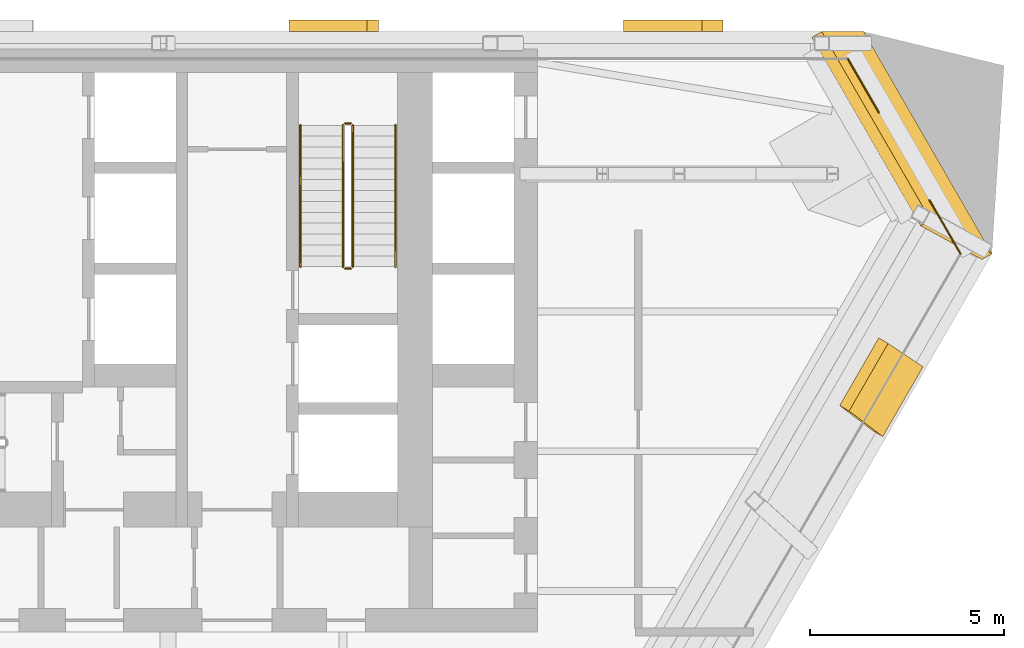
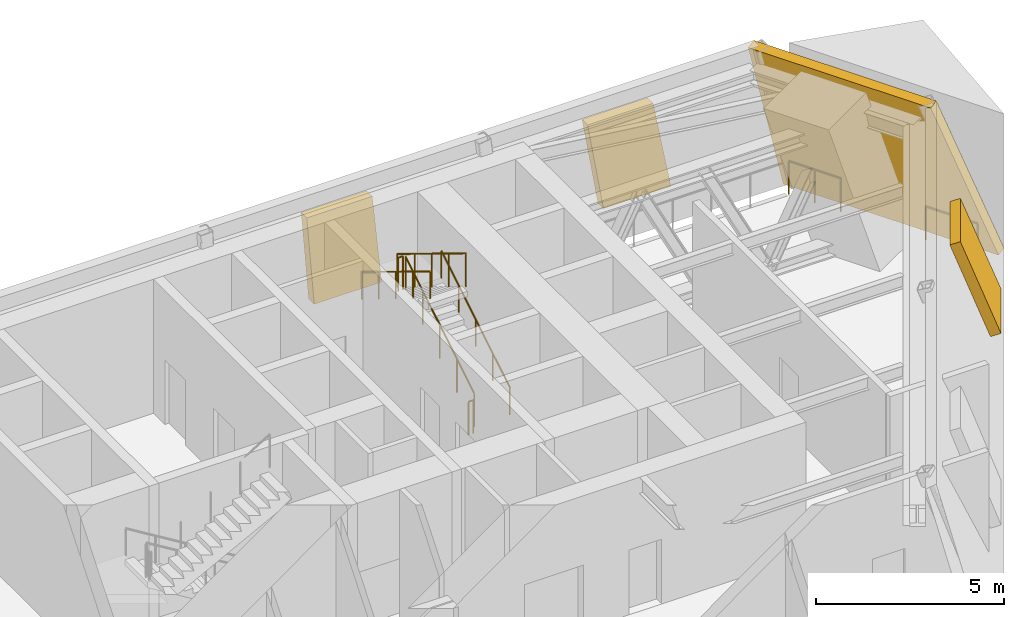
# One storey, part 9 of 9: 8 railings, 3 shading devices, 1 covering.
"""IFC4 building model written with IfcOpenShell, lengths in metres."""

from ifc_helpers import new_model, si_unit, direction, frame, origin, origin_2d, place, context, subcontext, project, spatial, polyline, circle, outline, extrude, material, layer, layer_set, type_object, element, save


model = new_model("IFC4")

# Units and contexts
model_context = context("Model", 3, precision=1e-05, world=origin(), true_north=direction((0.0, 1.0)))
body_context = subcontext(model_context, "Body", "Model", "MODEL_VIEW")
ifc_project = project(units=[si_unit("LENGTHUNIT", "METRE"), si_unit("AREAUNIT", "SQUARE_METRE"), si_unit("VOLUMEUNIT", "CUBIC_METRE"), si_unit("PLANEANGLEUNIT", "RADIAN"), si_unit("MASSUNIT", "GRAM", prefix="KILO")], contexts=[model_context])

# Site, building, storey
site_placement = place(None, origin())
site = spatial("IfcSite", under=ifc_project, at=site_placement, CompositionType="ELEMENT")
building_placement = place(site_placement, origin())
building = spatial("IfcBuilding", under=site, at=building_placement, Name="Aloe Facet Convention Tower", CompositionType="ELEMENT")
storey_placement = place(building_placement, frame((0.0, 0.0, 77.0)))
storey = spatial("IfcBuildingStorey", under=building, at=storey_placement, Name="L18", CompositionType="ELEMENT", Elevation=77.0)

# Railings
ifc_material_1 = material(Name="Steel S355 balustrade", Category="steel")
railing_type_1 = type_object("IfcRailingType", Name="CR-RL-GUARD", PredefinedType="GUARDRAIL", material=ifc_material_1)
railing_1_placement = place(storey_placement, frame((89.25, 128.949951171875, 0.17138671875)))
element("IfcRailing", 1, at=railing_1_placement, inside=storey, type_object=railing_type_1, Name="L18 ST2 stair guard 1", PredefinedType="GUARDRAIL", context=body_context, shape_type="SweptSolid", body=[
    extrude(circle(Radius=0.02392578125, at=origin_2d()), frame((0.0, 0.0, 1.076171875), z_axis=(0.0, 0.852865859571, 0.52213008492), x_axis=(-1.0, 0.0, 0.0)), (0.0, 0.0, 1.0), 4.26806640625),
    extrude(circle(Radius=0.02099609375, at=origin_2d()), origin(), (0.0, 0.0, 1.0), 1.052001953125),
    extrude(circle(Radius=0.02099609375, at=origin_2d()), frame((0.0, 0.91015625, 0.55712890625)), (0.0, 0.0, 1.0), 1.052001953125),
    extrude(circle(Radius=0.02099609375, at=origin_2d()), frame((0.0, 1.820068359375, 1.1142578125)), (0.0, 0.0, 1.0), 1.052001953125),
    extrude(circle(Radius=0.02099609375, at=origin_2d()), frame((0.0, 2.72998046875, 1.67138671875)), (0.0, 0.0, 1.0), 1.052001953125),
    extrude(circle(Radius=0.02099609375, at=origin_2d()), frame((0.0, 3.64013671875, 2.228515625)), (0.0, 0.0, 1.0), 1.052001953125),
])
railing_2_placement = place(storey_placement, frame((89.199951171875, 132.639892578125, 2.39990234375)))
element("IfcRailing", 2, at=railing_2_placement, inside=storey, type_object=railing_type_1, Name="L18 ST2 stair guard 2", PredefinedType="GUARDRAIL", context=body_context, shape_type="SweptSolid", body=[
    extrude(circle(Radius=0.02392578125, at=origin_2d()), frame((0.0, 0.0, 1.076171875), z_axis=(-1.0, 0.0, 0.0), x_axis=(0.0, -1.0, 0.0)), (0.0, 0.0, 1.0), 0.14990234375),
    extrude(circle(Radius=0.02099609375, at=origin_2d()), origin(), (0.0, 0.0, 1.0), 1.052001953125),
    extrude(circle(Radius=0.02099609375, at=origin_2d()), frame((-0.14990234375, 0.0, 0.0)), (0.0, 0.0, 1.0), 1.052001953125),
])
railing_3_placement = place(storey_placement, frame((89.0, 132.590087890625, 2.571533203125)))
element("IfcRailing", 3, at=railing_3_placement, inside=storey, type_object=railing_type_1, Name="L18 ST2 stair guard 3", PredefinedType="GUARDRAIL", context=body_context, shape_type="SweptSolid", body=[
    extrude(circle(Radius=0.02392578125, at=origin_2d()), frame((0.0, 0.0, 1.076171875), z_axis=(0.0, -0.852865859571, 0.52213008492), x_axis=(1.0, 0.0, 0.0)), (0.0, 0.0, 1.0), 4.26806640625),
    extrude(circle(Radius=0.02099609375, at=origin_2d()), origin(), (0.0, 0.0, 1.0), 1.052001953125),
    extrude(circle(Radius=0.02099609375, at=origin_2d()), frame((0.0, -0.91015625, 0.55712890625)), (0.0, 0.0, 1.0), 1.052001953125),
    extrude(circle(Radius=0.02099609375, at=origin_2d()), frame((0.0, -1.820068359375, 1.1142578125)), (0.0, 0.0, 1.0), 1.052001953125),
    extrude(circle(Radius=0.02099609375, at=origin_2d()), frame((0.0, -2.72998046875, 1.67138671875)), (0.0, 0.0, 1.0), 1.052001953125),
    extrude(circle(Radius=0.02099609375, at=origin_2d()), frame((0.0, -3.64013671875, 2.228515625)), (0.0, 0.0, 1.0), 1.052001953125),
])
railing_4_placement = place(storey_placement, frame((89.199951171875, 128.89990234375, 0.0)))
element("IfcRailing", 4, at=railing_4_placement, inside=storey, type_object=railing_type_1, Name="L18 ST2 stair guard 4", PredefinedType="GUARDRAIL", context=body_context, shape_type="SweptSolid", body=[
    extrude(circle(Radius=0.02392578125, at=origin_2d()), frame((0.0, 0.0, 1.076171875), z_axis=(-1.0, 0.0, 0.0), x_axis=(0.0, -1.0, 0.0)), (0.0, 0.0, 1.0), 0.14990234375),
    extrude(circle(Radius=0.02099609375, at=origin_2d()), origin(), (0.0, 0.0, 1.0), 1.052001953125),
    extrude(circle(Radius=0.02099609375, at=origin_2d()), frame((-0.14990234375, 0.0, 0.0)), (0.0, 0.0, 1.0), 1.052001953125),
])
ifc_material_2 = material(Name="Steel S355 handrail", Category="steel")
railing_type_2 = type_object("IfcRailingType", Name="CR-RL-HAND", PredefinedType="HANDRAIL", material=ifc_material_2)
railing_5_placement = place(storey_placement, frame((90.35009765625, 128.949951171875, 0.17138671875)))
element("IfcRailing", 5, at=railing_5_placement, inside=storey, type_object=railing_type_2, Name="L18 ST2 stair handrail 1", PredefinedType="HANDRAIL", context=body_context, shape_type="SweptSolid", body=[
    extrude(circle(Radius=0.02392578125, at=origin_2d()), frame((0.0, 0.0, 0.8759765625), z_axis=(0.0, 0.852865859571, 0.52213008492), x_axis=(-1.0, 0.0, 0.0)), (0.0, 0.0, 1.0), 4.26806640625),
    extrude(circle(Radius=0.02099609375, at=origin_2d()), origin(), (0.0, 0.0, 1.0), 0.851806640625),
    extrude(circle(Radius=0.02099609375, at=origin_2d()), frame((0.0, 0.91015625, 0.55712890625)), (0.0, 0.0, 1.0), 0.851806640625),
    extrude(circle(Radius=0.02099609375, at=origin_2d()), frame((0.0, 1.820068359375, 1.1142578125)), (0.0, 0.0, 1.0), 0.851806640625),
    extrude(circle(Radius=0.02099609375, at=origin_2d()), frame((0.0, 2.72998046875, 1.67138671875)), (0.0, 0.0, 1.0), 0.851806640625),
    extrude(circle(Radius=0.02099609375, at=origin_2d()), frame((0.0, 3.64013671875, 2.228515625)), (0.0, 0.0, 1.0), 0.851806640625),
])
railing_6_placement = place(storey_placement, frame((87.89990234375, 132.590087890625, 2.571533203125)))
element("IfcRailing", 6, at=railing_6_placement, inside=storey, type_object=railing_type_2, Name="L18 ST2 stair handrail 2", PredefinedType="HANDRAIL", context=body_context, shape_type="SweptSolid", body=[
    extrude(circle(Radius=0.02392578125, at=origin_2d()), frame((0.0, 0.0, 0.8759765625), z_axis=(0.0, -0.852865859571, 0.52213008492), x_axis=(1.0, 0.0, 0.0)), (0.0, 0.0, 1.0), 4.26806640625),
    extrude(circle(Radius=0.02099609375, at=origin_2d()), origin(), (0.0, 0.0, 1.0), 0.851806640625),
    extrude(circle(Radius=0.02099609375, at=origin_2d()), frame((0.0, -0.91015625, 0.55712890625)), (0.0, 0.0, 1.0), 0.851806640625),
    extrude(circle(Radius=0.02099609375, at=origin_2d()), frame((0.0, -1.820068359375, 1.1142578125)), (0.0, 0.0, 1.0), 0.851806640625),
    extrude(circle(Radius=0.02099609375, at=origin_2d()), frame((0.0, -2.72998046875, 1.67138671875)), (0.0, 0.0, 1.0), 0.851806640625),
    extrude(circle(Radius=0.02099609375, at=origin_2d()), frame((0.0, -3.64013671875, 2.228515625)), (0.0, 0.0, 1.0), 0.851806640625),
])

# Covering
ifc_material_3 = material(Name="Granite cladding, bronze anchors", Category="masonry")
ifc_layer_1 = layer(ifc_material_3, 0.300048828125)
ifc_layer_set_1 = layer_set([ifc_layer_1], Name="EV-CLAD-STONE")
covering_type = type_object("IfcCoveringType", Name="EV-CLAD-STONE", PredefinedType="CLADDING", material=ifc_layer_set_1)
covering_placement = place(storey_placement, frame((105.699951171875, 129.2841796875, 0.0), z_axis=(0.850084950272, 0.490797018451, 0.190981318458), x_axis=(-0.500000255716, 0.866025256147, 4.13111e-07)))
element("IfcCovering", 7, at=covering_placement, inside=storey, type_object=covering_type, Name="CLADDING L18-C", PredefinedType="CLADDING", context=body_context, shape_type="SweptSolid", body=[
    extrude(outline(polyline([(0.0, 0.0), (6.600070008158472, 1.1102230246251565e-16), (7.139256837178554, 4.890053815557037), (1.539136073956195, 4.890058950093989), (0.0, 0.0)])), origin(), (0.0, 0.0, -1.0), 0.300048828125),
])

# Railings
ifc_material_4 = material(Name="Steel S355", Category="steel")
railing_type_3 = type_object("IfcRailingType", Name="EV-GUARD-PORTAL", PredefinedType="GUARDRAIL", material=ifc_material_4)
for number, where, name in (
    (8, (101.995849609375, 134.300048828125, 0.0), "GUARD L18-1"),
    (9, (104.09375, 130.666259765625, 0.0), "GUARD L18-2"),
):
    element("IfcRailing", number, at=place(storey_placement, frame(where)), inside=storey, type_object=railing_type_3, Name=name, PredefinedType="GUARDRAIL", context=body_context, shape_type="SweptSolid", body=[
        extrude(circle(Radius=0.02392578125, at=origin_2d()), frame((0.0, 0.0, 1.076171875), z_axis=(0.499956412987, -0.866050567295, 0.0), x_axis=(0.866050567295, 0.499956412987, 0.0)), (0.0, 0.0, 1.0), 1.595947265625),
        extrude(circle(Radius=0.02099609375, at=origin_2d()), origin(), (0.0, 0.0, 1.0), 1.052001953125),
        extrude(circle(Radius=0.02099609375, at=origin_2d()), frame((0.39892578125, -0.69091796875, 0.0)), (0.0, 0.0, 1.0), 1.052001953125),
        extrude(circle(Radius=0.02099609375, at=origin_2d()), frame((0.7978515625, -1.382080078125, 0.0)), (0.0, 0.0, 1.0), 1.052001953125),
    ])

# Shading devices
ifc_material_5 = material(Name="Aluminium, anodised", Category="aluminium")
ifc_layer_2 = layer(ifc_material_5, 0.300048828125)
ifc_layer_set_2 = layer_set([ifc_layer_2], Name="EV-LOUVRE-BELT")
shading_device_type = type_object("IfcShadingDeviceType", Name="EV-LOUVRE-BELT", PredefinedType="JALOUSIE", material=ifc_layer_set_2)
shading_device_1_placement = place(storey_placement, frame((98.78271484375, 135.300048828125, 0.9599609375), z_axis=(0.0, 1.0, 0.0), x_axis=(-1.0, 0.0, 0.0)))
element("IfcShadingDevice", 10, at=shading_device_1_placement, inside=storey, type_object=shading_device_type, Name="LOUVRE L18-N02", PredefinedType="JALOUSIE", context=body_context, shape_type="SweptSolid", body=[
    extrude(outline(polyline([(0.0, 0.0), (2.070556640625, 0.0), (2.55810546875, 2.880126953125), (0.5478515625, 2.880126953125), (0.0, 0.0)])), origin(), (0.0, 0.0, -1.0), 0.300048828125),
])
shading_device_2_placement = place(storey_placement, frame((89.908935546875, 135.300048828125, 0.9599609375), z_axis=(0.0, 1.0, 0.0), x_axis=(-1.0, 0.0, 0.0)))
element("IfcShadingDevice", 11, at=shading_device_2_placement, inside=storey, type_object=shading_device_type, Name="LOUVRE L18-N05", PredefinedType="JALOUSIE", context=body_context, shape_type="SweptSolid", body=[
    extrude(outline(polyline([(0.0, 0.0), (2.070556640625, 0.0), (2.299072265625, 2.880126953125), (0.2890625, 2.880126953125), (0.0, 0.0)])), origin(), (0.0, 0.0, -1.0), 0.300048828125),
])
shading_device_3_placement = place(storey_placement, frame((102.8916015625, 124.577880859375, 1.0654296875), z_axis=(0.810877174689, -0.468152024102, 0.351157927287), x_axis=(0.499987335631, 0.866032715231, 1.8938707e-05)))
element("IfcShadingDevice", 12, at=shading_device_3_placement, inside=storey, type_object=shading_device_type, Name="LOUVRE L18-E14", PredefinedType="JALOUSIE", context=body_context, shape_type="SweptSolid", body=[
    extrude(outline(polyline([(0.0, 0.0), (2.0705460440540215, 0.0), (2.1462372278877027, 3.0757152643763592), (0.13616371216796389, 3.0757978023642485), (0.0, 0.0)])), origin(), (0.0, 0.0, -1.0), 0.300048828125),
])

save(model, "model.ifc")
